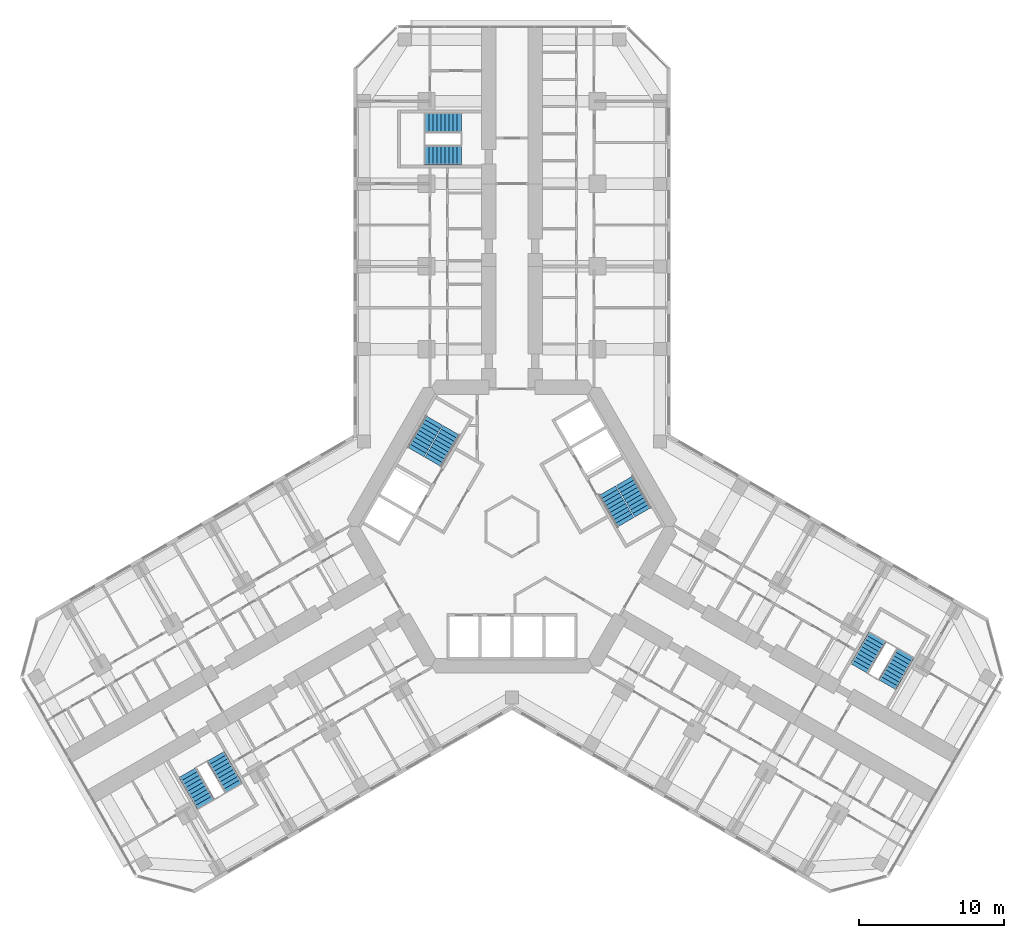
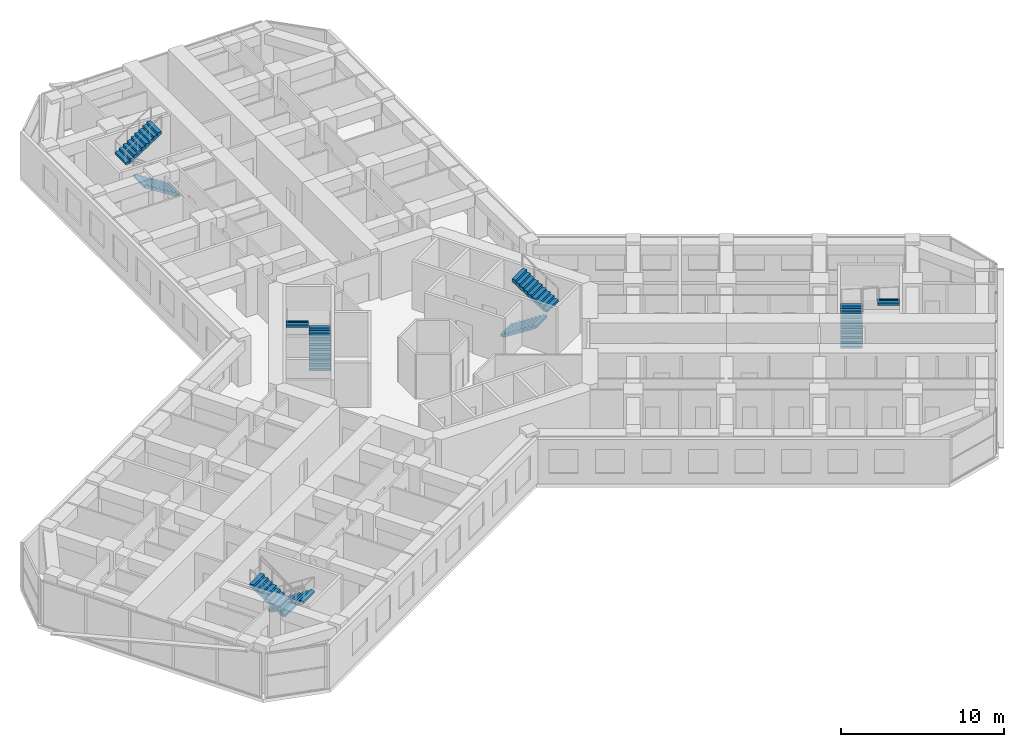
# One storey, part 21 of 22: 10 stair flights, 5 elements without a shape of their own.
"""IFC4 building model written with IfcOpenShell, lengths in metres."""

from ifc_helpers import new_model, si_unit, direction, frame, origin, place, context, subcontext, project, spatial, polyline, outline, extrude, material, type_object, element, aggregate, save


model = new_model("IFC4")

# Units and contexts
model_context = context("Model", 3, precision=1e-05, world=origin(), true_north=direction((0.0, 1.0)))
body_context = subcontext(model_context, "Body", "Model", "MODEL_VIEW")
ifc_project = project(units=[si_unit("LENGTHUNIT", "METRE"), si_unit("AREAUNIT", "SQUARE_METRE"), si_unit("VOLUMEUNIT", "CUBIC_METRE"), si_unit("PLANEANGLEUNIT", "RADIAN"), si_unit("MASSUNIT", "GRAM", prefix="KILO")], contexts=[model_context])

# Site, building, storey
site_placement = place(None, origin())
site = spatial("IfcSite", under=ifc_project, at=site_placement, CompositionType="ELEMENT")
building_placement = place(site_placement, origin())
building = spatial("IfcBuilding", under=site, at=building_placement, Name="Kosmar Iwan School Tower", CompositionType="ELEMENT")
storey_placement = place(building_placement, frame((0.0, 0.0, 91.60009765625)))
storey = spatial("IfcBuildingStorey", under=building, at=storey_placement, Name="L22", CompositionType="ELEMENT", Elevation=91.60009765625)

# Stair, stair flights
ifc_material_1 = material(Name="Concrete C35/45", Category="concrete")
stair_type_1 = type_object("IfcStairType", Name="Escape stair 3600", PredefinedType="HALF_TURN_STAIR", material=ifc_material_1)
stair_1_placement = place(storey_placement, origin())
stair_1 = element("IfcStair", 1, at=stair_1_placement, inside=storey, type_object=stair_type_1, Name="Stair WS1 L22", PredefinedType="HALF_TURN_STAIR")
ifc_material_2 = material(Name="Concrete C35/45", Category="concrete")
stair_flight_type_1 = type_object("IfcStairFlightType", Name="Escape stair flight 1350", PredefinedType="STRAIGHT", material=ifc_material_2)
stair_flight_1_placement = place(storey_placement, frame((-3.5, 25.625, 0.0), z_axis=(0.0, 0.0, 1.0), x_axis=(-1.0, 0.0, 0.0)))
stair_flight_1 = element("IfcStairFlight", 2, at=stair_flight_1_placement, type_object=stair_flight_type_1, Name="WS1 flight 1", NumberOfRisers=10, NumberOfTreads=9, PredefinedType="STRAIGHT", RiserHeight=0.18, TreadLength=0.28, context=body_context, shape_type="SweptSolid", body=[
    extrude(outline(polyline([(0.0, 0.0), (0.0, 0.179931640625), (0.280029296875, 0.179931640625), (0.280029296875, 0.360107421875), (0.56005859375, 0.360107421875), (0.56005859375, 0.5400390625), (0.840087890625, 0.5400390625), (0.840087890625, 0.719970703125), (1.1201171875, 0.719970703125), (1.1201171875, 0.89990234375), (1.39990234375, 0.89990234375), (1.39990234375, 1.080078125), (1.679931640625, 1.080078125), (1.679931640625, 1.260009765625), (1.9599609375, 1.260009765625), (1.9599609375, 1.43994140625), (2.239990234375, 1.43994140625), (2.239990234375, 1.6201171875), (2.52001953125, 1.6201171875), (2.52001953125, 1.800048828125), (2.52001953125, 1.44189453125), (0.277099609375, 0.0), (0.0, 0.0)])), frame((0.0, 0.675048828125, 0.0), z_axis=(0.0, -1.0, 0.0), x_axis=(1.0, 0.0, 0.0)), (0.0, 0.0, 1.0), 1.35009765625),
])
stair_flight_2_placement = place(storey_placement, frame((-6.02001953125, 27.875, 1.7998046875), z_axis=(0.0, 0.0, 1.0), x_axis=(1.0, 0.0, 0.0)))
stair_flight_2 = element("IfcStairFlight", 3, at=stair_flight_2_placement, type_object=stair_flight_type_1, Name="WS1 flight 2", NumberOfRisers=10, NumberOfTreads=9, PredefinedType="STRAIGHT", RiserHeight=0.18, TreadLength=0.28, context=body_context, shape_type="SweptSolid", body=[
    extrude(outline(polyline([(0.0, 0.0), (0.0, 0.179931640625), (0.280029296875, 0.179931640625), (0.280029296875, 0.360107421875), (0.56005859375, 0.360107421875), (0.56005859375, 0.5400390625), (0.840087890625, 0.5400390625), (0.840087890625, 0.719970703125), (1.1201171875, 0.719970703125), (1.1201171875, 0.89990234375), (1.39990234375, 0.89990234375), (1.39990234375, 1.080078125), (1.679931640625, 1.080078125), (1.679931640625, 1.260009765625), (1.9599609375, 1.260009765625), (1.9599609375, 1.43994140625), (2.239990234375, 1.43994140625), (2.239990234375, 1.6201171875), (2.52001953125, 1.6201171875), (2.52001953125, 1.800048828125), (2.52001953125, 1.44189453125), (0.277099609375, 0.0), (0.0, 0.0)])), frame((0.0, 0.675048828125, 0.0), z_axis=(0.0, -1.0, 0.0), x_axis=(1.0, 0.0, 0.0)), (0.0, 0.0, 1.0), 1.35009765625),
])
aggregate(stair_1, [stair_flight_1, stair_flight_2])

stair_2_placement = place(storey_placement, origin())
stair_2 = element("IfcStair", 4, at=stair_2_placement, inside=storey, type_object=stair_type_1, Name="Stair WS2 L22", PredefinedType="HALF_TURN_STAIR")
stair_flight_3_placement = place(storey_placement, frame((-20.44189453125, -15.843505859375, 0.0), z_axis=(0.0, 0.0, 1.0), x_axis=(0.5, -0.866025403784, 0.0)))
stair_flight_3 = element("IfcStairFlight", 5, at=stair_flight_3_placement, type_object=stair_flight_type_1, Name="WS2 flight 1", NumberOfRisers=10, NumberOfTreads=9, PredefinedType="STRAIGHT", RiserHeight=0.18, TreadLength=0.28, context=body_context, shape_type="SweptSolid", body=[
    extrude(outline(polyline([(0.0, 0.0), (0.0, 0.179931640625), (0.280029296875, 0.179931640625), (0.280029296875, 0.360107421875), (0.56005859375, 0.360107421875), (0.56005859375, 0.5400390625), (0.840087890625, 0.5400390625), (0.840087890625, 0.719970703125), (1.1201171875, 0.719970703125), (1.1201171875, 0.89990234375), (1.39990234375, 0.89990234375), (1.39990234375, 1.080078125), (1.679931640625, 1.080078125), (1.679931640625, 1.260009765625), (1.9599609375, 1.260009765625), (1.9599609375, 1.43994140625), (2.239990234375, 1.43994140625), (2.239990234375, 1.6201171875), (2.52001953125, 1.6201171875), (2.52001953125, 1.800048828125), (2.52001953125, 1.44189453125), (0.277099609375, 0.0), (0.0, 0.0)])), frame((0.0, 0.675048828125, 0.0), z_axis=(0.0, -1.0, 0.0), x_axis=(1.0, 0.0, 0.0)), (0.0, 0.0, 1.0), 1.35009765625),
])
stair_flight_4_placement = place(storey_placement, frame((-21.13037109375, -19.15087890625, 1.7998046875), z_axis=(0.0, 0.0, 1.0), x_axis=(-0.5, 0.866025403784, 0.0)))
stair_flight_4 = element("IfcStairFlight", 6, at=stair_flight_4_placement, type_object=stair_flight_type_1, Name="WS2 flight 2", NumberOfRisers=10, NumberOfTreads=9, PredefinedType="STRAIGHT", RiserHeight=0.18, TreadLength=0.28, context=body_context, shape_type="SweptSolid", body=[
    extrude(outline(polyline([(0.0, 0.0), (0.0, 0.179931640625), (0.280029296875, 0.179931640625), (0.280029296875, 0.360107421875), (0.56005859375, 0.360107421875), (0.56005859375, 0.5400390625), (0.840087890625, 0.5400390625), (0.840087890625, 0.719970703125), (1.1201171875, 0.719970703125), (1.1201171875, 0.89990234375), (1.39990234375, 0.89990234375), (1.39990234375, 1.080078125), (1.679931640625, 1.080078125), (1.679931640625, 1.260009765625), (1.9599609375, 1.260009765625), (1.9599609375, 1.43994140625), (2.239990234375, 1.43994140625), (2.239990234375, 1.6201171875), (2.52001953125, 1.6201171875), (2.52001953125, 1.800048828125), (2.52001953125, 1.44189453125), (0.277099609375, 0.0), (0.0, 0.0)])), frame((0.0, 0.675048828125, 0.0), z_axis=(0.0, -1.0, 0.0), x_axis=(1.0, 0.0, 0.0)), (0.0, 0.0, 1.0), 1.35009765625),
])
aggregate(stair_2, [stair_flight_3, stair_flight_4])

stair_3_placement = place(storey_placement, origin())
stair_3 = element("IfcStair", 7, at=stair_3_placement, inside=storey, type_object=stair_type_1, Name="Stair WS3 L22", PredefinedType="HALF_TURN_STAIR")
stair_flight_5_placement = place(storey_placement, frame((23.94189453125, -9.781494140625, 0.0), z_axis=(0.0, 0.0, 1.0), x_axis=(0.5, 0.866025403784, 0.0)))
stair_flight_5 = element("IfcStairFlight", 8, at=stair_flight_5_placement, type_object=stair_flight_type_1, Name="WS3 flight 1", NumberOfRisers=10, NumberOfTreads=9, PredefinedType="STRAIGHT", RiserHeight=0.18, TreadLength=0.28, context=body_context, shape_type="SweptSolid", body=[
    extrude(outline(polyline([(0.0, 0.0), (0.0, 0.179931640625), (0.280029296875, 0.179931640625), (0.280029296875, 0.360107421875), (0.56005859375, 0.360107421875), (0.56005859375, 0.5400390625), (0.840087890625, 0.5400390625), (0.840087890625, 0.719970703125), (1.1201171875, 0.719970703125), (1.1201171875, 0.89990234375), (1.39990234375, 0.89990234375), (1.39990234375, 1.080078125), (1.679931640625, 1.080078125), (1.679931640625, 1.260009765625), (1.9599609375, 1.260009765625), (1.9599609375, 1.43994140625), (2.239990234375, 1.43994140625), (2.239990234375, 1.6201171875), (2.52001953125, 1.6201171875), (2.52001953125, 1.800048828125), (2.52001953125, 1.44189453125), (0.277099609375, 0.0), (0.0, 0.0)])), frame((0.0, 0.675048828125, 0.0), z_axis=(0.0, -1.0, 0.0), x_axis=(1.0, 0.0, 0.0)), (0.0, 0.0, 1.0), 1.35009765625),
])
stair_flight_6_placement = place(storey_placement, frame((27.150390625, -8.72412109375, 1.7998046875), z_axis=(0.0, 0.0, 1.0), x_axis=(-0.5, -0.866025403784, 0.0)))
stair_flight_6 = element("IfcStairFlight", 9, at=stair_flight_6_placement, type_object=stair_flight_type_1, Name="WS3 flight 2", NumberOfRisers=10, NumberOfTreads=9, PredefinedType="STRAIGHT", RiserHeight=0.18, TreadLength=0.28, context=body_context, shape_type="SweptSolid", body=[
    extrude(outline(polyline([(0.0, 0.0), (0.0, 0.179931640625), (0.280029296875, 0.179931640625), (0.280029296875, 0.360107421875), (0.56005859375, 0.360107421875), (0.56005859375, 0.5400390625), (0.840087890625, 0.5400390625), (0.840087890625, 0.719970703125), (1.1201171875, 0.719970703125), (1.1201171875, 0.89990234375), (1.39990234375, 0.89990234375), (1.39990234375, 1.080078125), (1.679931640625, 1.080078125), (1.679931640625, 1.260009765625), (1.9599609375, 1.260009765625), (1.9599609375, 1.43994140625), (2.239990234375, 1.43994140625), (2.239990234375, 1.6201171875), (2.52001953125, 1.6201171875), (2.52001953125, 1.800048828125), (2.52001953125, 1.44189453125), (0.277099609375, 0.0), (0.0, 0.0)])), frame((0.0, 0.675048828125, 0.0), z_axis=(0.0, -1.0, 0.0), x_axis=(1.0, 0.0, 0.0)), (0.0, 0.0, 1.0), 1.35009765625),
])
aggregate(stair_3, [stair_flight_5, stair_flight_6])

ifc_material_3 = material(Name="Concrete C35/45", Category="concrete")
stair_type_2 = type_object("IfcStairType", Name="Core stair 2750", PredefinedType="HALF_TURN_STAIR", material=ifc_material_3)
stair_4_placement = place(storey_placement, origin())
stair_4 = element("IfcStair", 10, at=stair_4_placement, inside=storey, type_object=stair_type_2, Name="Stair ST2 L22", PredefinedType="HALF_TURN_STAIR")
ifc_material_4 = material(Name="Concrete C35/45", Category="concrete")
stair_flight_type_2 = type_object("IfcStairFlightType", Name="Stair flight 1350", PredefinedType="STRAIGHT", material=ifc_material_4)
stair_flight_7_placement = place(storey_placement, frame((-5.42724609375, 4.44970703125, 0.0), z_axis=(0.0, 0.0, 1.0), x_axis=(0.5, 0.866025403784, 0.0)))
stair_flight_7 = element("IfcStairFlight", 11, at=stair_flight_7_placement, type_object=stair_flight_type_2, Name="ST2 flight 1", NumberOfRisers=10, NumberOfTreads=9, PredefinedType="STRAIGHT", RiserHeight=0.18, TreadLength=0.28, context=body_context, shape_type="SweptSolid", body=[
    extrude(outline(polyline([(0.0, 0.0), (0.0, 0.179931640625), (0.280029296875, 0.179931640625), (0.280029296875, 0.360107421875), (0.56005859375, 0.360107421875), (0.56005859375, 0.5400390625), (0.840087890625, 0.5400390625), (0.840087890625, 0.719970703125), (1.1201171875, 0.719970703125), (1.1201171875, 0.89990234375), (1.39990234375, 0.89990234375), (1.39990234375, 1.080078125), (1.679931640625, 1.080078125), (1.679931640625, 1.260009765625), (1.9599609375, 1.260009765625), (1.9599609375, 1.43994140625), (2.239990234375, 1.43994140625), (2.239990234375, 1.6201171875), (2.52001953125, 1.6201171875), (2.52001953125, 1.800048828125), (2.52001953125, 1.44189453125), (0.277099609375, 0.0), (0.0, 0.0)])), frame((0.0, 0.675048828125, 0.0), z_axis=(0.0, -1.0, 0.0), x_axis=(1.0, 0.0, 0.0)), (0.0, 0.0, 1.0), 1.35009765625),
])
stair_flight_8_placement = place(storey_placement, frame((-5.379638671875, 7.33203125, 1.7998046875), z_axis=(0.0, 0.0, 1.0), x_axis=(-0.5, -0.866025403784, 0.0)))
stair_flight_8 = element("IfcStairFlight", 12, at=stair_flight_8_placement, type_object=stair_flight_type_2, Name="ST2 flight 2", NumberOfRisers=10, NumberOfTreads=9, PredefinedType="STRAIGHT", RiserHeight=0.18, TreadLength=0.28, context=body_context, shape_type="SweptSolid", body=[
    extrude(outline(polyline([(0.0, 0.0), (0.0, 0.179931640625), (0.280029296875, 0.179931640625), (0.280029296875, 0.360107421875), (0.56005859375, 0.360107421875), (0.56005859375, 0.5400390625), (0.840087890625, 0.5400390625), (0.840087890625, 0.719970703125), (1.1201171875, 0.719970703125), (1.1201171875, 0.89990234375), (1.39990234375, 0.89990234375), (1.39990234375, 1.080078125), (1.679931640625, 1.080078125), (1.679931640625, 1.260009765625), (1.9599609375, 1.260009765625), (1.9599609375, 1.43994140625), (2.239990234375, 1.43994140625), (2.239990234375, 1.6201171875), (2.52001953125, 1.6201171875), (2.52001953125, 1.800048828125), (2.52001953125, 1.44189453125), (0.277099609375, 0.0), (0.0, 0.0)])), frame((0.0, 0.675048828125, 0.0), z_axis=(0.0, -1.0, 0.0), x_axis=(1.0, 0.0, 0.0)), (0.0, 0.0, 1.0), 1.35009765625),
])
aggregate(stair_4, [stair_flight_7, stair_flight_8])

stair_5_placement = place(storey_placement, origin())
stair_5 = element("IfcStair", 13, at=stair_5_placement, inside=storey, type_object=stair_type_2, Name="Stair ST1 L22", PredefinedType="HALF_TURN_STAIR")
stair_flight_9_placement = place(storey_placement, frame((6.567138671875, 2.475341796875, 0.0), z_axis=(0.0, 0.0, 1.0), x_axis=(0.5, -0.866025403784, 0.0)))
stair_flight_9 = element("IfcStairFlight", 14, at=stair_flight_9_placement, type_object=stair_flight_type_2, Name="ST1 flight 1", NumberOfRisers=10, NumberOfTreads=9, PredefinedType="STRAIGHT", RiserHeight=0.18, TreadLength=0.28, context=body_context, shape_type="SweptSolid", body=[
    extrude(outline(polyline([(0.0, 0.0), (0.0, 0.179931640625), (0.280029296875, 0.179931640625), (0.280029296875, 0.360107421875), (0.56005859375, 0.360107421875), (0.56005859375, 0.5400390625), (0.840087890625, 0.5400390625), (0.840087890625, 0.719970703125), (1.1201171875, 0.719970703125), (1.1201171875, 0.89990234375), (1.39990234375, 0.89990234375), (1.39990234375, 1.080078125), (1.679931640625, 1.080078125), (1.679931640625, 1.260009765625), (1.9599609375, 1.260009765625), (1.9599609375, 1.43994140625), (2.239990234375, 1.43994140625), (2.239990234375, 1.6201171875), (2.52001953125, 1.6201171875), (2.52001953125, 1.800048828125), (2.52001953125, 1.44189453125), (0.277099609375, 0.0), (0.0, 0.0)])), frame((0.0, 0.675048828125, 0.0), z_axis=(0.0, -1.0, 0.0), x_axis=(1.0, 0.0, 0.0)), (0.0, 0.0, 1.0), 1.35009765625),
])
stair_flight_10_placement = place(storey_placement, frame((9.03955078125, 0.992919921875, 1.7998046875), z_axis=(0.0, 0.0, 1.0), x_axis=(-0.5, 0.866025403784, 0.0)))
stair_flight_10 = element("IfcStairFlight", 15, at=stair_flight_10_placement, type_object=stair_flight_type_2, Name="ST1 flight 2", NumberOfRisers=10, NumberOfTreads=9, PredefinedType="STRAIGHT", RiserHeight=0.18, TreadLength=0.28, context=body_context, shape_type="SweptSolid", body=[
    extrude(outline(polyline([(0.0, 0.0), (0.0, 0.179931640625), (0.280029296875, 0.179931640625), (0.280029296875, 0.360107421875), (0.56005859375, 0.360107421875), (0.56005859375, 0.5400390625), (0.840087890625, 0.5400390625), (0.840087890625, 0.719970703125), (1.1201171875, 0.719970703125), (1.1201171875, 0.89990234375), (1.39990234375, 0.89990234375), (1.39990234375, 1.080078125), (1.679931640625, 1.080078125), (1.679931640625, 1.260009765625), (1.9599609375, 1.260009765625), (1.9599609375, 1.43994140625), (2.239990234375, 1.43994140625), (2.239990234375, 1.6201171875), (2.52001953125, 1.6201171875), (2.52001953125, 1.800048828125), (2.52001953125, 1.44189453125), (0.277099609375, 0.0), (0.0, 0.0)])), frame((0.0, 0.675048828125, 0.0), z_axis=(0.0, -1.0, 0.0), x_axis=(1.0, 0.0, 0.0)), (0.0, 0.0, 1.0), 1.35009765625),
])
aggregate(stair_5, [stair_flight_9, stair_flight_10])

save(model, "model.ifc")
